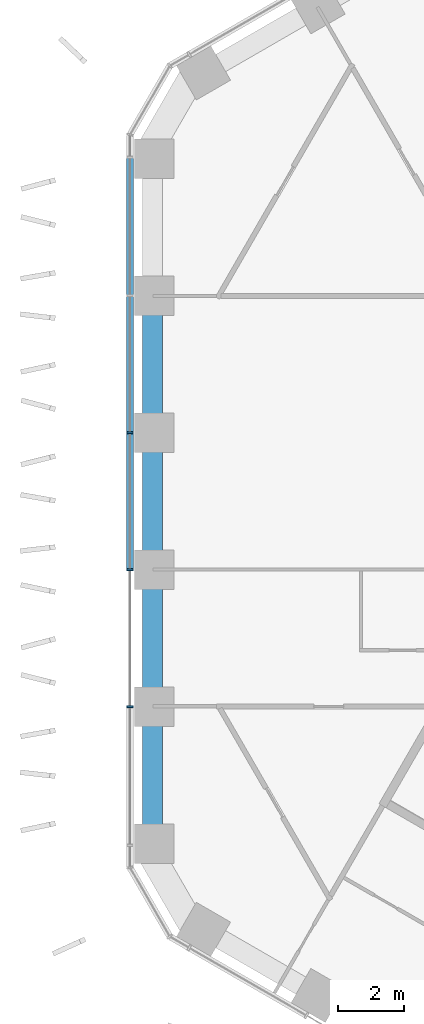
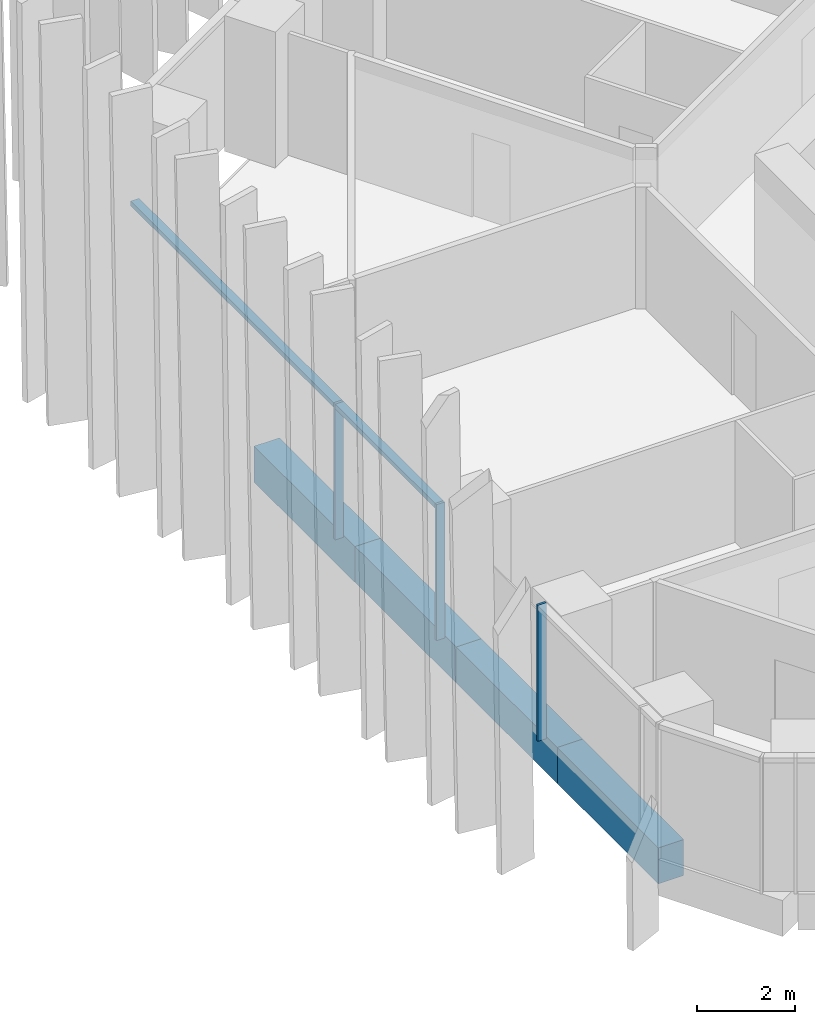
# One storey, part 3 of 20: 4 beams, 4 members, 1 element without a shape of its own.
"""IFC4 building model written with IfcOpenShell, lengths in metres."""

from ifc_helpers import new_model, si_unit, direction, frame, origin, origin_2d, place, context, subcontext, project, spatial, rectangle, extrude, material, layer, layer_set, material_profile, profile_set, type_object, element, aggregate, save


model = new_model("IFC4")

# Units and contexts
model_context = context("Model", 3, precision=1e-05, world=origin(), true_north=direction((0.0, 1.0)))
body_context = subcontext(model_context, "Body", "Model", "MODEL_VIEW")
ifc_project = project(units=[si_unit("LENGTHUNIT", "METRE"), si_unit("AREAUNIT", "SQUARE_METRE"), si_unit("VOLUMEUNIT", "CUBIC_METRE"), si_unit("PLANEANGLEUNIT", "RADIAN"), si_unit("MASSUNIT", "GRAM", prefix="KILO")], contexts=[model_context])

# Site, building, storey
site_placement = place(None, origin())
site = spatial("IfcSite", under=ifc_project, at=site_placement, CompositionType="ELEMENT")
building_placement = place(site_placement, origin())
building = spatial("IfcBuilding", under=site, at=building_placement, Name="Ayvan Gate Tower", CompositionType="ELEMENT")
storey_placement = place(building_placement, frame((0.0, 0.0, 35.699951171875)))
storey = spatial("IfcBuildingStorey", under=building, at=storey_placement, Name="L08", CompositionType="ELEMENT", Elevation=35.699951171875)

# Beams
ifc_material_1 = material(Name="Concrete C40/50", Category="concrete")
ifc_material_profile_1 = material_profile(ifc_material_1, rectangle(XDim=0.60009765625, YDim=0.89990234375, at=origin_2d()), Name="RC 600x900")
ifc_profile_set_1 = profile_set([ifc_material_profile_1], Name="Concrete C40/50")
beam_type = type_object("IfcBeamType", Name="Spandrel beam RC 600x900 C40/50", PredefinedType="BEAM", material=ifc_profile_set_1)
for number, where, z_axis, x_axis, name in (
    (1, (-20.62060546875, 6.217529296875, -0.800048828125), (0.0, -1.0, 0.0), (1.0, 0.0, 0.0), "SB-L08-20"),
    (2, (-20.62060546875, 2.072509765625, -0.800048828125), (0.0, -1.0, 0.0), (1.0, 0.0, 0.0), "SB-L08-21"),
    (3, (-20.62060546875, -2.072509765625, -0.800048828125), (0.0, -1.0, 0.0), (1.0, 0.0, 0.0), "SB-L08-22"),
):
    element("IfcBeam", number, at=place(storey_placement, frame(where, z_axis=z_axis, x_axis=x_axis)), inside=storey, type_object=beam_type, Name=name, PredefinedType="BEAM", context=body_context, shape_type="SweptSolid", body=[
        extrude(rectangle(XDim=0.60009765625, YDim=0.89990234375, at=origin_2d()), origin(), (0.0, 0.0, 1.0), 4.14501953125),
    ])
beam_placement = place(storey_placement, frame((-20.62060546875, -6.217529296875, -0.800048828125), z_axis=(0.0, -1.0, 0.0), x_axis=(1.0, 0.0, 0.0)))
element("IfcBeam", 4, at=beam_placement, inside=storey, type_object=beam_type, Name="SB-L08-23", PredefinedType="BEAM", context=body_context, shape_type="SweptSolid", body=[
    extrude(rectangle(XDim=0.60009765625, YDim=0.89990234375, at=origin_2d()), origin(), (0.0, 0.0, 1.0), 4.145263671875),
])

# Curtain wall, members
ifc_material_2 = material(Name="Bronze anodised aluminium", Category="aluminium")
ifc_layer = layer(ifc_material_2, 0.199951171875)
ifc_layer_set = layer_set([ifc_layer], Name="Bronze anodised aluminium")
curtain_wall_type = type_object("IfcCurtainWallType", Name="Stick curtain wall CW-1", PredefinedType="NOTDEFINED", material=ifc_layer_set)
curtain_wall_placement = place(storey_placement, origin())
curtain_wall = element("IfcCurtainWall", 5, at=curtain_wall_placement, inside=storey, type_object=curtain_wall_type, Name="Stick curtain wall CW-1 L08", PredefinedType="NOTDEFINED")
ifc_material_profile_2 = material_profile(ifc_material_2, rectangle(XDim=0.199951171875, YDim=0.06005859375, at=origin_2d()), Name="Stick curtain wall CW-1 mullion 200 x 60")
ifc_profile_set_2 = profile_set([ifc_material_profile_2], Name="Bronze anodised aluminium")
member_type_1 = type_object("IfcMemberType", Name="Stick curtain wall CW-1 mullion 200 x 60", PredefinedType="MULLION", material=ifc_profile_set_2)
member_1_placement = place(storey_placement, frame((-21.306640625, 2.077880859375, 0.0), z_axis=(0.0, 0.0, 1.0), x_axis=(-1.0, 0.0, 0.0)))
member_1 = element("IfcMember", 6, at=member_1_placement, type_object=member_type_1, Name="CW-1 mullion 3", PredefinedType="MULLION", context=body_context, shape_type="SweptSolid", body=[
    extrude(rectangle(XDim=0.199951171875, YDim=0.06005859375, at=origin_2d()), origin(), (0.0, 0.0, 1.0), 3.400146484375),
])
member_2_placement = place(storey_placement, frame((-21.306640625, -2.0771484375, 0.0), z_axis=(0.0, 0.0, 1.0), x_axis=(-1.0, 0.0, 0.0)))
member_2 = element("IfcMember", 7, at=member_2_placement, type_object=member_type_1, Name="CW-1 mullion 4", PredefinedType="MULLION", context=body_context, shape_type="SweptSolid", body=[
    extrude(rectangle(XDim=0.199951171875, YDim=0.06005859375, at=origin_2d()), origin(), (0.0, 0.0, 1.0), 3.400146484375),
])
member_3_placement = place(storey_placement, frame((-21.306640625, -6.233154296875, 0.0), z_axis=(0.0, 0.0, 1.0), x_axis=(-1.0, 0.0, 0.0)))
member_3 = element("IfcMember", 8, at=member_3_placement, type_object=member_type_1, Name="CW-1 mullion 5", PredefinedType="MULLION", context=body_context, shape_type="SweptSolid", body=[
    extrude(rectangle(XDim=0.199951171875, YDim=0.06005859375, at=origin_2d()), origin(), (0.0, 0.0, 1.0), 3.400146484375),
])
ifc_material_profile_3 = material_profile(ifc_material_2, rectangle(XDim=0.199951171875, YDim=0.1201171875, at=origin_2d()), Name="Stick curtain wall CW-1 transom 200 x 120")
ifc_profile_set_3 = profile_set([ifc_material_profile_3], Name="Bronze anodised aluminium")
member_type_2 = type_object("IfcMemberType", Name="Stick curtain wall CW-1 transom 200 x 120", PredefinedType="USERDEFINED", material=ifc_profile_set_3)
member_4_placement = place(storey_placement, frame((-21.306640625, 10.432861328125, 3.340087890625), z_axis=(0.0, -1.0, 0.0), x_axis=(1.0, 0.0, 0.0)))
member_4 = element("IfcMember", 9, at=member_4_placement, type_object=member_type_2, Name="CW-1 transom 1", ObjectType="TRANSOM", PredefinedType="USERDEFINED", context=body_context, shape_type="SweptSolid", body=[
    extrude(rectangle(XDim=0.199951171875, YDim=0.1201171875, at=origin_2d()), origin(), (0.0, 0.0, 1.0), 12.47998046875),
])
aggregate(curtain_wall, [member_1, member_2, member_3, member_4])

save(model, "model.ifc")
